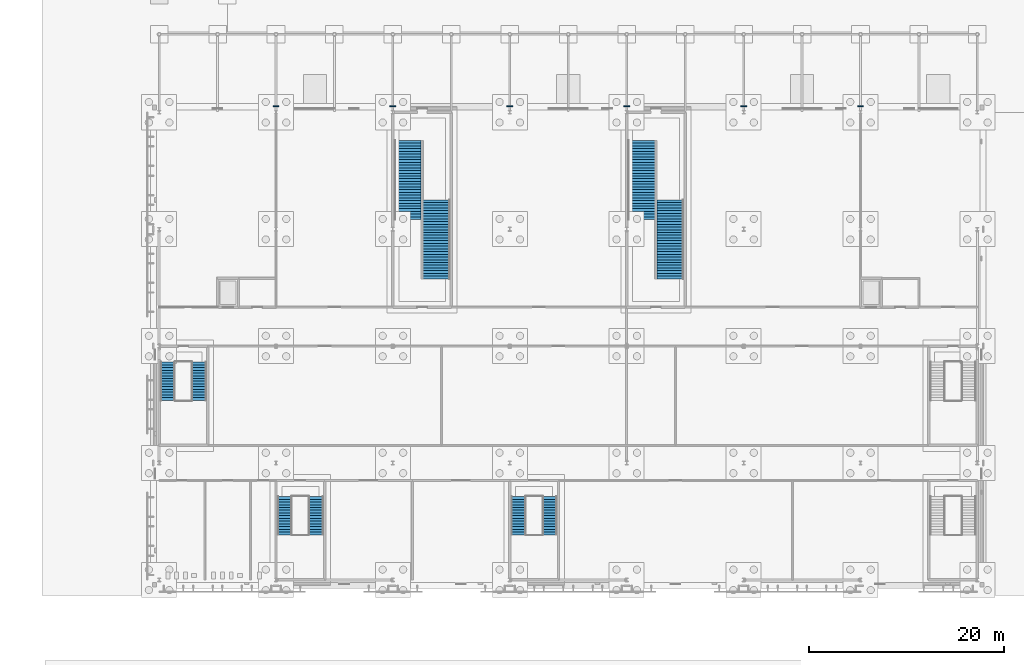
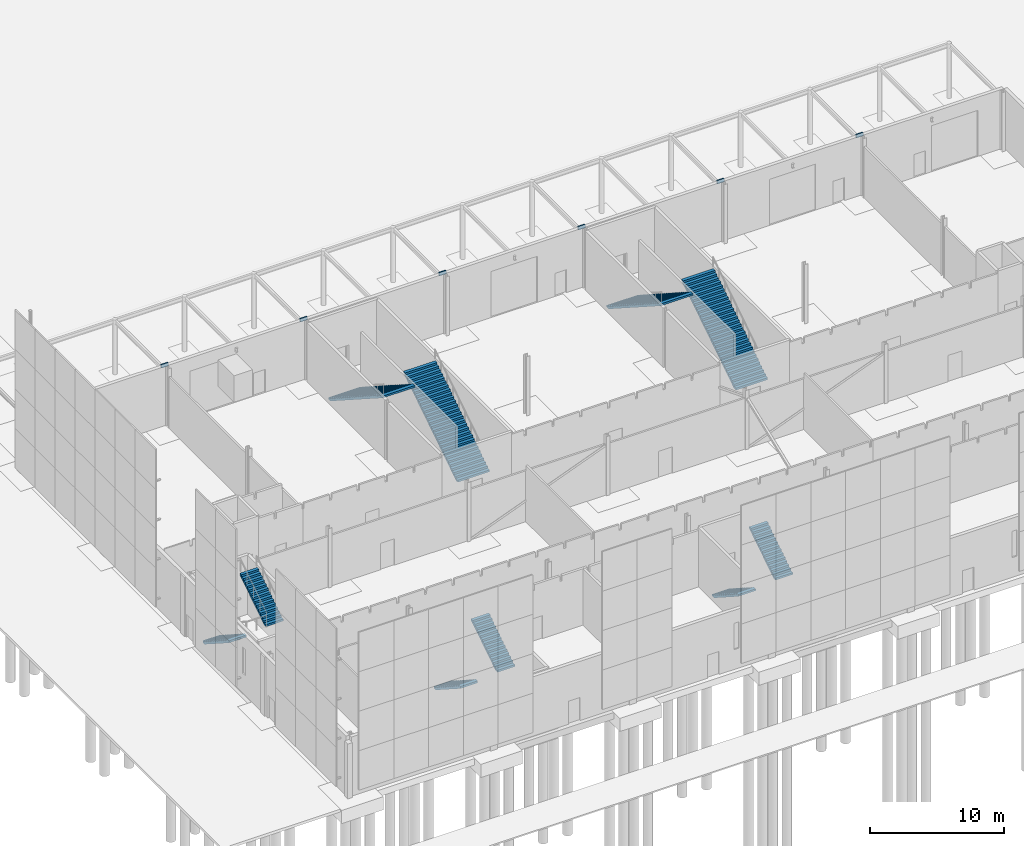
# One storey, part 94 of 132: 10 stair flights, 6 walls, 7 elements without a shape of their own.
"""IFC4 building model written with IfcOpenShell, lengths in metres."""

from ifc_helpers import new_model, si_unit, direction, frame, frame_2d, origin, place, context, subcontext, project, spatial, polyline, rectangle, outline, extrude, material, layer, layer_set, type_object, element, aggregate, save


model = new_model("IFC4")

# Units and contexts
model_context = context("Model", 3, precision=1e-05, world=origin(), true_north=direction((0.0, 1.0)))
body_context = subcontext(model_context, "Body", "Model", "MODEL_VIEW")
ifc_project = project(units=[si_unit("LENGTHUNIT", "METRE"), si_unit("AREAUNIT", "SQUARE_METRE"), si_unit("VOLUMEUNIT", "CUBIC_METRE"), si_unit("PLANEANGLEUNIT", "RADIAN"), si_unit("MASSUNIT", "GRAM", prefix="KILO")], contexts=[model_context])

# Site, building, storey
site_placement = place(None, origin())
site = spatial("IfcSite", under=ifc_project, at=site_placement, CompositionType="ELEMENT")
building_placement = place(site_placement, origin())
building = spatial("IfcBuilding", under=site, at=building_placement, Name="Ravi Spectrum Wholesale Market", CompositionType="ELEMENT")
storey_placement = place(building_placement, origin())
storey = spatial("IfcBuildingStorey", under=building, at=storey_placement, Name="L00", CompositionType="ELEMENT", Elevation=0.0)

# Walls
ifc_material_1 = material(Name="Facing brickwork", Category="masonry")
ifc_layer = layer(ifc_material_1, 0.114990234375)
ifc_layer_set = layer_set([ifc_layer], Name="Facing brickwork")
wall_type = type_object("IfcWallType", Name="Brick pilaster 115", PredefinedType="SOLIDWALL", material=ifc_layer_set)
for number, where, z_axis, x_axis, name in (
    (1, (270.300048828125, 66.607421875, 5.10009765625), (0.0, 0.0, 1.0), (-1.0, 0.0, 0.0), "CS-WL-L00-053"),
    (2, (258.300048828125, 66.607421875, 5.10009765625), (0.0, 0.0, 1.0), (-1.0, 0.0, 0.0), "CS-WL-L00-054"),
    (3, (246.300048828125, 66.607421875, 5.10009765625), (0.0, 0.0, 1.0), (-1.0, 0.0, 0.0), "CS-WL-L00-055"),
    (4, (234.300048828125, 66.607421875, 5.10009765625), (0.0, 0.0, 1.0), (-1.0, 0.0, 0.0), "CS-WL-L00-056"),
    (5, (222.300048828125, 66.607421875, 5.10009765625), (0.0, 0.0, 1.0), (-1.0, 0.0, 0.0), "CS-WL-L00-057"),
    (6, (210.300048828125, 66.607421875, 5.10009765625), (0.0, 0.0, 1.0), (-1.0, 0.0, 0.0), "CS-WL-L00-058"),
):
    element("IfcWall", number, at=place(storey_placement, frame(where, z_axis=z_axis, x_axis=x_axis)), inside=storey, type_object=wall_type, Name=name, PredefinedType="SOLIDWALL", context=body_context, shape_type="SweptSolid", body=[
        extrude(rectangle(XDim=0.60009765625, YDim=0.114990234375, at=frame_2d((0.300048828125, 0.0))), origin(), (0.0, 0.0, 1.0), 0.2998046875),
    ])

# Stair, stair flights
ifc_material_2 = material(Name="Concrete C35/45", Category="concrete")
stair_type = type_object("IfcStairType", Name="Stair", PredefinedType="NOTDEFINED", material=ifc_material_2)
stair_1_placement = place(storey_placement, origin())
stair_1 = element("IfcStair", 7, at=stair_1_placement, inside=storey, type_object=stair_type, Name="L00 S-CS-1", PredefinedType="HALF_TURN_STAIR")
ifc_material_3 = material(Name="Concrete C35/45", Category="concrete")
stair_flight_type = type_object("IfcStairFlightType", Name="Stair flight", PredefinedType="STRAIGHT", material=ifc_material_3)
stair_flight_1_placement = place(storey_placement, frame((198.89990234375, 40.35009765625, 0.0), z_axis=(0.0, 0.0, 1.0), x_axis=(0.0, -1.0, 0.0)))
stair_flight_1 = element("IfcStairFlight", 8, at=stair_flight_1_placement, type_object=stair_flight_type, Name="S-CS-1 flight 1", NumberOfRisers=15, NumberOfTreads=14, PredefinedType="STRAIGHT", RiserHeight=0.18, TreadLength=0.28, context=body_context, shape_type="SweptSolid", body=[
    extrude(outline(polyline([(0.0, 0.0), (0.0, 0.179931640625), (0.280029296875, 0.179931640625), (0.280029296875, 0.360107421875), (0.56005859375, 0.360107421875), (0.56005859375, 0.5400390625), (0.840087890625, 0.5400390625), (0.840087890625, 0.719970703125), (1.1201171875, 0.719970703125), (1.1201171875, 0.89990234375), (1.39990234375, 0.89990234375), (1.39990234375, 1.080078125), (1.679931640625, 1.080078125), (1.679931640625, 1.260009765625), (1.9599609375, 1.260009765625), (1.9599609375, 1.43994140625), (2.239990234375, 1.43994140625), (2.239990234375, 1.6201171875), (2.52001953125, 1.6201171875), (2.52001953125, 1.800048828125), (2.800048828125, 1.800048828125), (2.800048828125, 1.97998046875), (3.080078125, 1.97998046875), (3.080078125, 2.159912109375), (3.360107421875, 2.159912109375), (3.360107421875, 2.340087890625), (3.639892578125, 2.340087890625), (3.639892578125, 2.52001953125), (3.919921875, 2.52001953125), (3.919921875, 2.699951171875), (3.919921875, 2.341796875), (0.277099609375, 0.0), (0.0, 0.0)])), frame((0.0, 0.75, 0.0), z_axis=(0.0, -1.0, 0.0), x_axis=(1.0, 0.0, 0.0)), (0.0, 0.0, 1.0), 1.5),
])
stair_flight_2_placement = place(storey_placement, frame((202.10009765625, 36.429931640625, 2.699951171875), z_axis=(0.0, 0.0, 1.0), x_axis=(0.0, 1.0, 0.0)))
stair_flight_2 = element("IfcStairFlight", 9, at=stair_flight_2_placement, type_object=stair_flight_type, Name="S-CS-1 flight 2", NumberOfRisers=15, NumberOfTreads=14, PredefinedType="STRAIGHT", RiserHeight=0.18, TreadLength=0.28, context=body_context, shape_type="SweptSolid", body=[
    extrude(outline(polyline([(0.0, 0.0), (0.0, 0.179931640625), (0.280029296875, 0.179931640625), (0.280029296875, 0.360107421875), (0.56005859375, 0.360107421875), (0.56005859375, 0.5400390625), (0.840087890625, 0.5400390625), (0.840087890625, 0.719970703125), (1.1201171875, 0.719970703125), (1.1201171875, 0.89990234375), (1.39990234375, 0.89990234375), (1.39990234375, 1.080078125), (1.679931640625, 1.080078125), (1.679931640625, 1.260009765625), (1.9599609375, 1.260009765625), (1.9599609375, 1.43994140625), (2.239990234375, 1.43994140625), (2.239990234375, 1.6201171875), (2.52001953125, 1.6201171875), (2.52001953125, 1.800048828125), (2.800048828125, 1.800048828125), (2.800048828125, 1.97998046875), (3.080078125, 1.97998046875), (3.080078125, 2.159912109375), (3.360107421875, 2.159912109375), (3.360107421875, 2.340087890625), (3.639892578125, 2.340087890625), (3.639892578125, 2.52001953125), (3.919921875, 2.52001953125), (3.919921875, 2.699951171875), (3.919921875, 2.341796875), (0.277099609375, 0.0), (0.0, 0.0)])), frame((0.0, 0.75, 0.0), z_axis=(0.0, -1.0, 0.0), x_axis=(1.0, 0.0, 0.0)), (0.0, 0.0, 1.0), 1.5),
])
aggregate(stair_1, [stair_flight_1, stair_flight_2])

# Stair, stair flight
stair_2_placement = place(storey_placement, origin())
stair_2 = element("IfcStair", 10, at=stair_2_placement, inside=storey, type_object=stair_type, Name="L00 S-CS-3 A", ObjectType="SCISSOR", PredefinedType="USERDEFINED")
stair_flight_3_placement = place(storey_placement, frame((226.47509765625, 48.89990234375, 0.0), z_axis=(0.0, 0.0, 1.0), x_axis=(0.0, 1.0, 0.0)))
stair_flight_3 = element("IfcStairFlight", 11, at=stair_flight_3_placement, type_object=stair_flight_type, Name="S-CS-3A flight 1", NumberOfRisers=30, NumberOfTreads=29, PredefinedType="STRAIGHT", RiserHeight=0.18, TreadLength=0.28, context=body_context, shape_type="SweptSolid", body=[
    extrude(outline(polyline([(0.0, 0.0), (0.0, 0.179931640625), (0.280029296875, 0.179931640625), (0.280029296875, 0.360107421875), (0.56005859375, 0.360107421875), (0.56005859375, 0.5400390625), (0.840087890625, 0.5400390625), (0.840087890625, 0.719970703125), (1.1201171875, 0.719970703125), (1.1201171875, 0.89990234375), (1.39990234375, 0.89990234375), (1.39990234375, 1.080078125), (1.679931640625, 1.080078125), (1.679931640625, 1.260009765625), (1.9599609375, 1.260009765625), (1.9599609375, 1.43994140625), (2.239990234375, 1.43994140625), (2.239990234375, 1.6201171875), (2.52001953125, 1.6201171875), (2.52001953125, 1.800048828125), (2.800048828125, 1.800048828125), (2.800048828125, 1.97998046875), (3.080078125, 1.97998046875), (3.080078125, 2.159912109375), (3.360107421875, 2.159912109375), (3.360107421875, 2.340087890625), (3.639892578125, 2.340087890625), (3.639892578125, 2.52001953125), (3.919921875, 2.52001953125), (3.919921875, 2.699951171875), (4.199951171875, 2.699951171875), (4.199951171875, 2.8798828125), (4.47998046875, 2.8798828125), (4.47998046875, 3.06005859375), (4.760009765625, 3.06005859375), (4.760009765625, 3.239990234375), (5.0400390625, 3.239990234375), (5.0400390625, 3.419921875), (5.320068359375, 3.419921875), (5.320068359375, 3.60009765625), (5.60009765625, 3.60009765625), (5.60009765625, 3.780029296875), (5.8798828125, 3.780029296875), (5.8798828125, 3.9599609375), (6.159912109375, 3.9599609375), (6.159912109375, 4.139892578125), (6.43994140625, 4.139892578125), (6.43994140625, 4.320068359375), (6.719970703125, 4.320068359375), (6.719970703125, 4.5), (7.0, 4.5), (7.0, 4.679931640625), (7.280029296875, 4.679931640625), (7.280029296875, 4.860107421875), (7.56005859375, 4.860107421875), (7.56005859375, 5.0400390625), (7.840087890625, 5.0400390625), (7.840087890625, 5.219970703125), (8.1201171875, 5.219970703125), (8.1201171875, 5.39990234375), (8.1201171875, 5.041748046875), (0.277099609375, 0.0), (0.0, 0.0)])), frame((0.0, 1.375, 0.0), z_axis=(0.0, -1.0, 0.0), x_axis=(1.0, 0.0, 0.0)), (0.0, 0.0, 1.0), 2.75),
])
aggregate(stair_2, [stair_flight_3])

stair_3_placement = place(storey_placement, origin())
stair_3 = element("IfcStair", 12, at=stair_3_placement, inside=storey, type_object=stair_type, Name="L00 S-CS-3 B", ObjectType="SCISSOR", PredefinedType="USERDEFINED")
stair_flight_4_placement = place(storey_placement, frame((223.52490234375, 63.10009765625, 0.0), z_axis=(0.0, 0.0, 1.0), x_axis=(0.0, -1.0, 0.0)))
stair_flight_4 = element("IfcStairFlight", 13, at=stair_flight_4_placement, type_object=stair_flight_type, Name="S-CS-3B flight 1", NumberOfRisers=30, NumberOfTreads=29, PredefinedType="STRAIGHT", RiserHeight=0.18, TreadLength=0.28, context=body_context, shape_type="SweptSolid", body=[
    extrude(outline(polyline([(0.0, 0.0), (0.0, 0.179931640625), (0.280029296875, 0.179931640625), (0.280029296875, 0.360107421875), (0.56005859375, 0.360107421875), (0.56005859375, 0.5400390625), (0.840087890625, 0.5400390625), (0.840087890625, 0.719970703125), (1.1201171875, 0.719970703125), (1.1201171875, 0.89990234375), (1.39990234375, 0.89990234375), (1.39990234375, 1.080078125), (1.679931640625, 1.080078125), (1.679931640625, 1.260009765625), (1.9599609375, 1.260009765625), (1.9599609375, 1.43994140625), (2.239990234375, 1.43994140625), (2.239990234375, 1.6201171875), (2.52001953125, 1.6201171875), (2.52001953125, 1.800048828125), (2.800048828125, 1.800048828125), (2.800048828125, 1.97998046875), (3.080078125, 1.97998046875), (3.080078125, 2.159912109375), (3.360107421875, 2.159912109375), (3.360107421875, 2.340087890625), (3.639892578125, 2.340087890625), (3.639892578125, 2.52001953125), (3.919921875, 2.52001953125), (3.919921875, 2.699951171875), (4.199951171875, 2.699951171875), (4.199951171875, 2.8798828125), (4.47998046875, 2.8798828125), (4.47998046875, 3.06005859375), (4.760009765625, 3.06005859375), (4.760009765625, 3.239990234375), (5.0400390625, 3.239990234375), (5.0400390625, 3.419921875), (5.320068359375, 3.419921875), (5.320068359375, 3.60009765625), (5.60009765625, 3.60009765625), (5.60009765625, 3.780029296875), (5.8798828125, 3.780029296875), (5.8798828125, 3.9599609375), (6.159912109375, 3.9599609375), (6.159912109375, 4.139892578125), (6.43994140625, 4.139892578125), (6.43994140625, 4.320068359375), (6.719970703125, 4.320068359375), (6.719970703125, 4.5), (7.0, 4.5), (7.0, 4.679931640625), (7.280029296875, 4.679931640625), (7.280029296875, 4.860107421875), (7.56005859375, 4.860107421875), (7.56005859375, 5.0400390625), (7.840087890625, 5.0400390625), (7.840087890625, 5.219970703125), (8.1201171875, 5.219970703125), (8.1201171875, 5.39990234375), (8.1201171875, 5.041748046875), (0.277099609375, 0.0), (0.0, 0.0)])), frame((0.0, 1.375, 0.0), z_axis=(0.0, -1.0, 0.0), x_axis=(1.0, 0.0, 0.0)), (0.0, 0.0, 1.0), 2.75),
])
aggregate(stair_3, [stair_flight_4])

# Stair, stair flights
stair_4_placement = place(storey_placement, origin())
stair_4 = element("IfcStair", 14, at=stair_4_placement, inside=storey, type_object=stair_type, Name="L00 S-CS-4", PredefinedType="HALF_TURN_STAIR")
stair_flight_5_placement = place(storey_placement, frame((234.89990234375, 26.550048828125, 0.0), z_axis=(0.0, 0.0, 1.0), x_axis=(0.0, -1.0, 0.0)))
stair_flight_5 = element("IfcStairFlight", 15, at=stair_flight_5_placement, type_object=stair_flight_type, Name="S-CS-4 flight 1", NumberOfRisers=15, NumberOfTreads=14, PredefinedType="STRAIGHT", RiserHeight=0.18, TreadLength=0.28, context=body_context, shape_type="SweptSolid", body=[
    extrude(outline(polyline([(0.0, 0.0), (0.0, 0.179931640625), (0.280029296875, 0.179931640625), (0.280029296875, 0.360107421875), (0.56005859375, 0.360107421875), (0.56005859375, 0.5400390625), (0.840087890625, 0.5400390625), (0.840087890625, 0.719970703125), (1.1201171875, 0.719970703125), (1.1201171875, 0.89990234375), (1.39990234375, 0.89990234375), (1.39990234375, 1.080078125), (1.679931640625, 1.080078125), (1.679931640625, 1.260009765625), (1.9599609375, 1.260009765625), (1.9599609375, 1.43994140625), (2.239990234375, 1.43994140625), (2.239990234375, 1.6201171875), (2.52001953125, 1.6201171875), (2.52001953125, 1.800048828125), (2.800048828125, 1.800048828125), (2.800048828125, 1.97998046875), (3.080078125, 1.97998046875), (3.080078125, 2.159912109375), (3.360107421875, 2.159912109375), (3.360107421875, 2.340087890625), (3.639892578125, 2.340087890625), (3.639892578125, 2.52001953125), (3.919921875, 2.52001953125), (3.919921875, 2.699951171875), (3.919921875, 2.341796875), (0.277099609375, 0.0), (0.0, 0.0)])), frame((0.0, 0.75, 0.0), z_axis=(0.0, -1.0, 0.0), x_axis=(1.0, 0.0, 0.0)), (0.0, 0.0, 1.0), 1.5),
])
stair_flight_6_placement = place(storey_placement, frame((238.10009765625, 22.6298828125, 2.699951171875), z_axis=(0.0, 0.0, 1.0), x_axis=(0.0, 1.0, 0.0)))
stair_flight_6 = element("IfcStairFlight", 16, at=stair_flight_6_placement, type_object=stair_flight_type, Name="S-CS-4 flight 2", NumberOfRisers=15, NumberOfTreads=14, PredefinedType="STRAIGHT", RiserHeight=0.18, TreadLength=0.28, context=body_context, shape_type="SweptSolid", body=[
    extrude(outline(polyline([(0.0, 0.0), (0.0, 0.179931640625), (0.280029296875, 0.179931640625), (0.280029296875, 0.360107421875), (0.56005859375, 0.360107421875), (0.56005859375, 0.5400390625), (0.840087890625, 0.5400390625), (0.840087890625, 0.719970703125), (1.1201171875, 0.719970703125), (1.1201171875, 0.89990234375), (1.39990234375, 0.89990234375), (1.39990234375, 1.080078125), (1.679931640625, 1.080078125), (1.679931640625, 1.260009765625), (1.9599609375, 1.260009765625), (1.9599609375, 1.43994140625), (2.239990234375, 1.43994140625), (2.239990234375, 1.6201171875), (2.52001953125, 1.6201171875), (2.52001953125, 1.800048828125), (2.800048828125, 1.800048828125), (2.800048828125, 1.97998046875), (3.080078125, 1.97998046875), (3.080078125, 2.159912109375), (3.360107421875, 2.159912109375), (3.360107421875, 2.340087890625), (3.639892578125, 2.340087890625), (3.639892578125, 2.52001953125), (3.919921875, 2.52001953125), (3.919921875, 2.699951171875), (3.919921875, 2.341796875), (0.277099609375, 0.0), (0.0, 0.0)])), frame((0.0, 0.75, 0.0), z_axis=(0.0, -1.0, 0.0), x_axis=(1.0, 0.0, 0.0)), (0.0, 0.0, 1.0), 1.5),
])
aggregate(stair_4, [stair_flight_5, stair_flight_6])

# Stair, stair flight
stair_5_placement = place(storey_placement, origin())
stair_5 = element("IfcStair", 17, at=stair_5_placement, inside=storey, type_object=stair_type, Name="L00 S-CS-5 A", ObjectType="SCISSOR", PredefinedType="USERDEFINED")
stair_flight_7_placement = place(storey_placement, frame((250.47509765625, 48.89990234375, 0.0), z_axis=(0.0, 0.0, 1.0), x_axis=(0.0, 1.0, 0.0)))
stair_flight_7 = element("IfcStairFlight", 18, at=stair_flight_7_placement, type_object=stair_flight_type, Name="S-CS-5A flight 1", NumberOfRisers=30, NumberOfTreads=29, PredefinedType="STRAIGHT", RiserHeight=0.18, TreadLength=0.28, context=body_context, shape_type="SweptSolid", body=[
    extrude(outline(polyline([(0.0, 0.0), (0.0, 0.179931640625), (0.280029296875, 0.179931640625), (0.280029296875, 0.360107421875), (0.56005859375, 0.360107421875), (0.56005859375, 0.5400390625), (0.840087890625, 0.5400390625), (0.840087890625, 0.719970703125), (1.1201171875, 0.719970703125), (1.1201171875, 0.89990234375), (1.39990234375, 0.89990234375), (1.39990234375, 1.080078125), (1.679931640625, 1.080078125), (1.679931640625, 1.260009765625), (1.9599609375, 1.260009765625), (1.9599609375, 1.43994140625), (2.239990234375, 1.43994140625), (2.239990234375, 1.6201171875), (2.52001953125, 1.6201171875), (2.52001953125, 1.800048828125), (2.800048828125, 1.800048828125), (2.800048828125, 1.97998046875), (3.080078125, 1.97998046875), (3.080078125, 2.159912109375), (3.360107421875, 2.159912109375), (3.360107421875, 2.340087890625), (3.639892578125, 2.340087890625), (3.639892578125, 2.52001953125), (3.919921875, 2.52001953125), (3.919921875, 2.699951171875), (4.199951171875, 2.699951171875), (4.199951171875, 2.8798828125), (4.47998046875, 2.8798828125), (4.47998046875, 3.06005859375), (4.760009765625, 3.06005859375), (4.760009765625, 3.239990234375), (5.0400390625, 3.239990234375), (5.0400390625, 3.419921875), (5.320068359375, 3.419921875), (5.320068359375, 3.60009765625), (5.60009765625, 3.60009765625), (5.60009765625, 3.780029296875), (5.8798828125, 3.780029296875), (5.8798828125, 3.9599609375), (6.159912109375, 3.9599609375), (6.159912109375, 4.139892578125), (6.43994140625, 4.139892578125), (6.43994140625, 4.320068359375), (6.719970703125, 4.320068359375), (6.719970703125, 4.5), (7.0, 4.5), (7.0, 4.679931640625), (7.280029296875, 4.679931640625), (7.280029296875, 4.860107421875), (7.56005859375, 4.860107421875), (7.56005859375, 5.0400390625), (7.840087890625, 5.0400390625), (7.840087890625, 5.219970703125), (8.1201171875, 5.219970703125), (8.1201171875, 5.39990234375), (8.1201171875, 5.041748046875), (0.277099609375, 0.0), (0.0, 0.0)])), frame((0.0, 1.375, 0.0), z_axis=(0.0, -1.0, 0.0), x_axis=(1.0, 0.0, 0.0)), (0.0, 0.0, 1.0), 2.75),
])
aggregate(stair_5, [stair_flight_7])

stair_6_placement = place(storey_placement, origin())
stair_6 = element("IfcStair", 19, at=stair_6_placement, inside=storey, type_object=stair_type, Name="L00 S-CS-5 B", ObjectType="SCISSOR", PredefinedType="USERDEFINED")
stair_flight_8_placement = place(storey_placement, frame((247.52490234375, 63.10009765625, 0.0), z_axis=(0.0, 0.0, 1.0), x_axis=(0.0, -1.0, 0.0)))
stair_flight_8 = element("IfcStairFlight", 20, at=stair_flight_8_placement, type_object=stair_flight_type, Name="S-CS-5B flight 1", NumberOfRisers=30, NumberOfTreads=29, PredefinedType="STRAIGHT", RiserHeight=0.18, TreadLength=0.28, context=body_context, shape_type="SweptSolid", body=[
    extrude(outline(polyline([(0.0, 0.0), (0.0, 0.179931640625), (0.280029296875, 0.179931640625), (0.280029296875, 0.360107421875), (0.56005859375, 0.360107421875), (0.56005859375, 0.5400390625), (0.840087890625, 0.5400390625), (0.840087890625, 0.719970703125), (1.1201171875, 0.719970703125), (1.1201171875, 0.89990234375), (1.39990234375, 0.89990234375), (1.39990234375, 1.080078125), (1.679931640625, 1.080078125), (1.679931640625, 1.260009765625), (1.9599609375, 1.260009765625), (1.9599609375, 1.43994140625), (2.239990234375, 1.43994140625), (2.239990234375, 1.6201171875), (2.52001953125, 1.6201171875), (2.52001953125, 1.800048828125), (2.800048828125, 1.800048828125), (2.800048828125, 1.97998046875), (3.080078125, 1.97998046875), (3.080078125, 2.159912109375), (3.360107421875, 2.159912109375), (3.360107421875, 2.340087890625), (3.639892578125, 2.340087890625), (3.639892578125, 2.52001953125), (3.919921875, 2.52001953125), (3.919921875, 2.699951171875), (4.199951171875, 2.699951171875), (4.199951171875, 2.8798828125), (4.47998046875, 2.8798828125), (4.47998046875, 3.06005859375), (4.760009765625, 3.06005859375), (4.760009765625, 3.239990234375), (5.0400390625, 3.239990234375), (5.0400390625, 3.419921875), (5.320068359375, 3.419921875), (5.320068359375, 3.60009765625), (5.60009765625, 3.60009765625), (5.60009765625, 3.780029296875), (5.8798828125, 3.780029296875), (5.8798828125, 3.9599609375), (6.159912109375, 3.9599609375), (6.159912109375, 4.139892578125), (6.43994140625, 4.139892578125), (6.43994140625, 4.320068359375), (6.719970703125, 4.320068359375), (6.719970703125, 4.5), (7.0, 4.5), (7.0, 4.679931640625), (7.280029296875, 4.679931640625), (7.280029296875, 4.860107421875), (7.56005859375, 4.860107421875), (7.56005859375, 5.0400390625), (7.840087890625, 5.0400390625), (7.840087890625, 5.219970703125), (8.1201171875, 5.219970703125), (8.1201171875, 5.39990234375), (8.1201171875, 5.041748046875), (0.277099609375, 0.0), (0.0, 0.0)])), frame((0.0, 1.375, 0.0), z_axis=(0.0, -1.0, 0.0), x_axis=(1.0, 0.0, 0.0)), (0.0, 0.0, 1.0), 2.75),
])
aggregate(stair_6, [stair_flight_8])

# Stair, stair flights
stair_7_placement = place(storey_placement, origin())
stair_7 = element("IfcStair", 21, at=stair_7_placement, inside=storey, type_object=stair_type, Name="L00 S-CS-6", PredefinedType="HALF_TURN_STAIR")
stair_flight_9_placement = place(storey_placement, frame((210.89990234375, 26.550048828125, 0.0), z_axis=(0.0, 0.0, 1.0), x_axis=(0.0, -1.0, 0.0)))
stair_flight_9 = element("IfcStairFlight", 22, at=stair_flight_9_placement, type_object=stair_flight_type, Name="S-CS-6 flight 1", NumberOfRisers=15, NumberOfTreads=14, PredefinedType="STRAIGHT", RiserHeight=0.18, TreadLength=0.28, context=body_context, shape_type="SweptSolid", body=[
    extrude(outline(polyline([(0.0, 0.0), (0.0, 0.179931640625), (0.280029296875, 0.179931640625), (0.280029296875, 0.360107421875), (0.56005859375, 0.360107421875), (0.56005859375, 0.5400390625), (0.840087890625, 0.5400390625), (0.840087890625, 0.719970703125), (1.1201171875, 0.719970703125), (1.1201171875, 0.89990234375), (1.39990234375, 0.89990234375), (1.39990234375, 1.080078125), (1.679931640625, 1.080078125), (1.679931640625, 1.260009765625), (1.9599609375, 1.260009765625), (1.9599609375, 1.43994140625), (2.239990234375, 1.43994140625), (2.239990234375, 1.6201171875), (2.52001953125, 1.6201171875), (2.52001953125, 1.800048828125), (2.800048828125, 1.800048828125), (2.800048828125, 1.97998046875), (3.080078125, 1.97998046875), (3.080078125, 2.159912109375), (3.360107421875, 2.159912109375), (3.360107421875, 2.340087890625), (3.639892578125, 2.340087890625), (3.639892578125, 2.52001953125), (3.919921875, 2.52001953125), (3.919921875, 2.699951171875), (3.919921875, 2.341796875), (0.277099609375, 0.0), (0.0, 0.0)])), frame((0.0, 0.75, 0.0), z_axis=(0.0, -1.0, 0.0), x_axis=(1.0, 0.0, 0.0)), (0.0, 0.0, 1.0), 1.5),
])
stair_flight_10_placement = place(storey_placement, frame((214.10009765625, 22.6298828125, 2.699951171875), z_axis=(0.0, 0.0, 1.0), x_axis=(0.0, 1.0, 0.0)))
stair_flight_10 = element("IfcStairFlight", 23, at=stair_flight_10_placement, type_object=stair_flight_type, Name="S-CS-6 flight 2", NumberOfRisers=15, NumberOfTreads=14, PredefinedType="STRAIGHT", RiserHeight=0.18, TreadLength=0.28, context=body_context, shape_type="SweptSolid", body=[
    extrude(outline(polyline([(0.0, 0.0), (0.0, 0.179931640625), (0.280029296875, 0.179931640625), (0.280029296875, 0.360107421875), (0.56005859375, 0.360107421875), (0.56005859375, 0.5400390625), (0.840087890625, 0.5400390625), (0.840087890625, 0.719970703125), (1.1201171875, 0.719970703125), (1.1201171875, 0.89990234375), (1.39990234375, 0.89990234375), (1.39990234375, 1.080078125), (1.679931640625, 1.080078125), (1.679931640625, 1.260009765625), (1.9599609375, 1.260009765625), (1.9599609375, 1.43994140625), (2.239990234375, 1.43994140625), (2.239990234375, 1.6201171875), (2.52001953125, 1.6201171875), (2.52001953125, 1.800048828125), (2.800048828125, 1.800048828125), (2.800048828125, 1.97998046875), (3.080078125, 1.97998046875), (3.080078125, 2.159912109375), (3.360107421875, 2.159912109375), (3.360107421875, 2.340087890625), (3.639892578125, 2.340087890625), (3.639892578125, 2.52001953125), (3.919921875, 2.52001953125), (3.919921875, 2.699951171875), (3.919921875, 2.341796875), (0.277099609375, 0.0), (0.0, 0.0)])), frame((0.0, 0.75, 0.0), z_axis=(0.0, -1.0, 0.0), x_axis=(1.0, 0.0, 0.0)), (0.0, 0.0, 1.0), 1.5),
])
aggregate(stair_7, [stair_flight_9, stair_flight_10])

save(model, "model.ifc")
